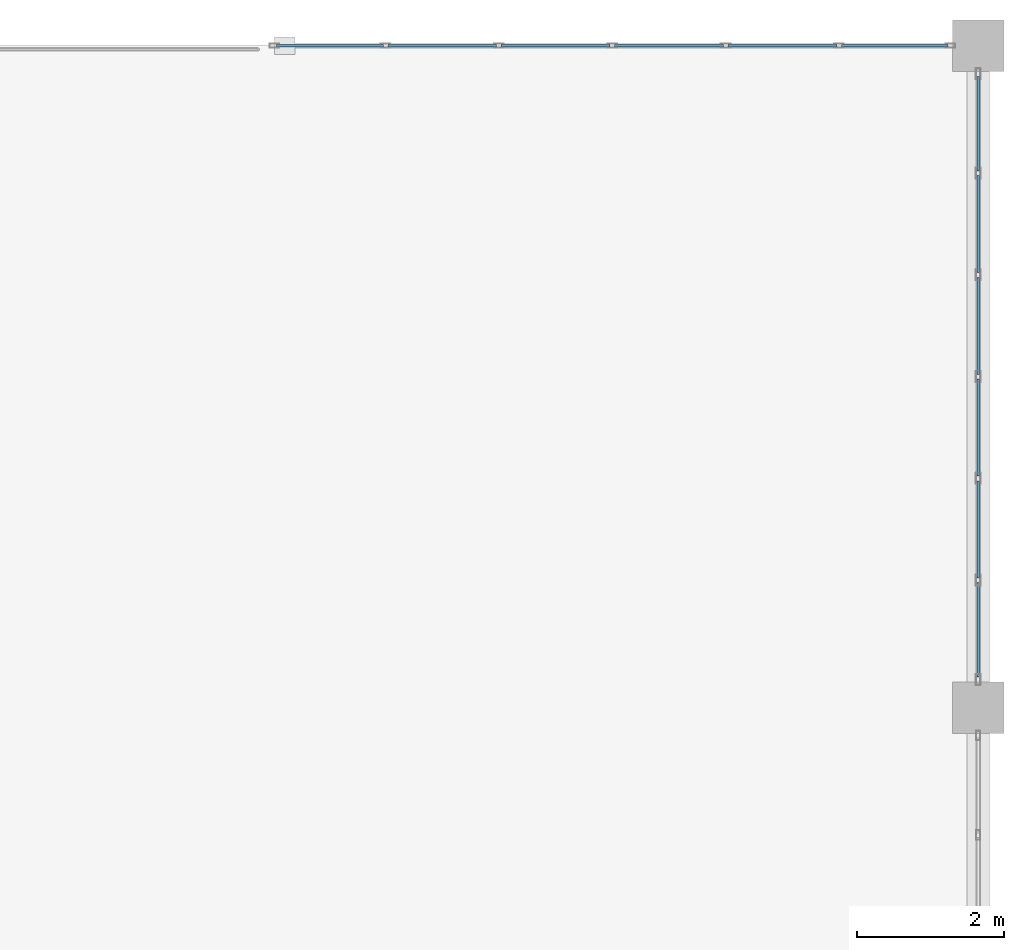
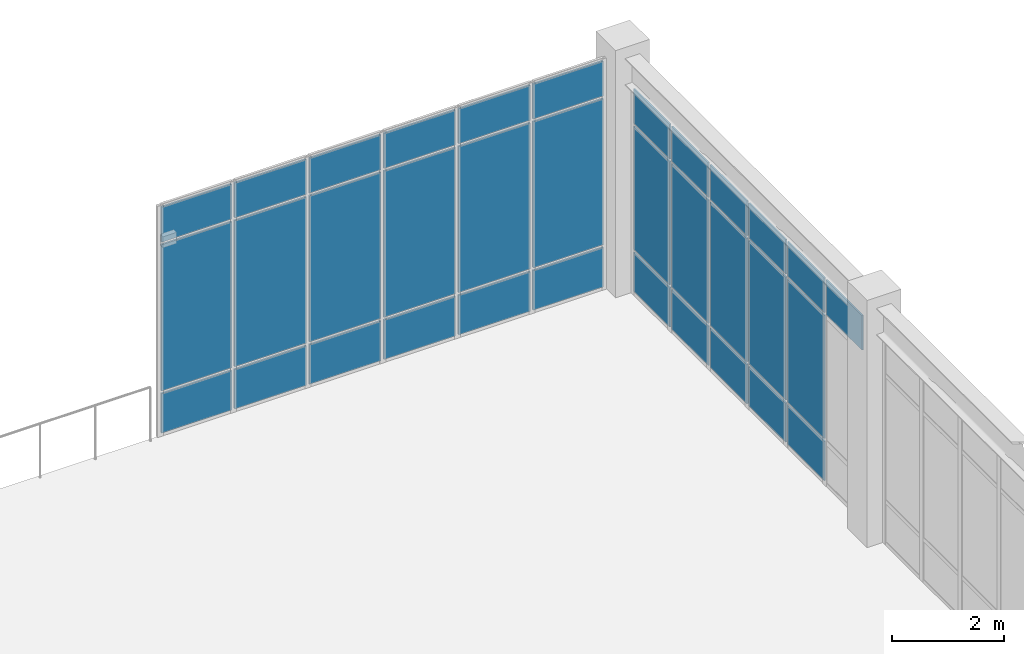
# One storey, part 64 of 80: 34 plates, 2 elements without a shape of their own.
"""IFC4 building model written with IfcOpenShell, lengths in metres."""

from ifc_helpers import new_model, si_unit, direction, frame, origin, origin_2d, place, context, subcontext, project, spatial, rectangle, extrude, material, layer, layer_set, type_object, element, aggregate, save


model = new_model("IFC4")

# Units and contexts
model_context = context("Model", 3, precision=1e-05, world=origin(), true_north=direction((0.0, 1.0)))
body_context = subcontext(model_context, "Body", "Model", "MODEL_VIEW")
ifc_project = project(units=[si_unit("LENGTHUNIT", "METRE"), si_unit("AREAUNIT", "SQUARE_METRE"), si_unit("VOLUMEUNIT", "CUBIC_METRE"), si_unit("PLANEANGLEUNIT", "RADIAN"), si_unit("MASSUNIT", "GRAM", prefix="KILO")], contexts=[model_context])

# Site, building, storey
site_placement = place(None, origin())
site = spatial("IfcSite", under=ifc_project, at=site_placement, CompositionType="ELEMENT")
building_placement = place(site_placement, origin())
building = spatial("IfcBuilding", under=site, at=building_placement, Name="Canglan Escarpment Cableway Terminal", CompositionType="ELEMENT")
storey_placement = place(building_placement, frame((0.0, 0.0, 19.199951171875)))
storey = spatial("IfcBuildingStorey", under=building, at=storey_placement, Name="L04", CompositionType="ELEMENT", Elevation=19.199951171875)

# Curtain wall, plates
ifc_material_1 = material(Name="Anodized bronze aluminium and Low-E double glazing", Category="aluminium")
curtain_wall_type_1 = type_object("IfcCurtainWallType", Name="CW-BAY-8300x4550", PredefinedType="NOTDEFINED", material=ifc_material_1)
curtain_wall_1_placement = place(storey_placement, origin())
curtain_wall_1 = element("IfcCurtainWall", 1, at=curtain_wall_1_placement, inside=storey, type_object=curtain_wall_type_1, Name="Classical bay-between-piers glazed curtain wall CW-64", PredefinedType="NOTDEFINED")
ifc_material_2 = material(Name="Double-silver Low-E laminated insulating glass", Category="glass")
ifc_layer_1 = layer(ifc_material_2, 0.031982421875, Name="Double-silver Low-E laminated insulating glass")
ifc_layer_set_1 = layer_set([ifc_layer_1], Name="Double-silver Low-E laminated insulating glass")
plate_type_1 = type_object("IfcPlateType", Name="CWP-03", PredefinedType="CURTAIN_PANEL", material=ifc_layer_set_1)
plate_1_placement = place(storey_placement, frame((166.39990234375, 116.057861328125, 3.73095703125), z_axis=(0.0, 0.0, 1.0), x_axis=(0.0, 1.0, 0.0)))
plate_1 = element("IfcPlate", 2, at=plate_1_placement, type_object=plate_type_1, Name="CW-64 panel 1.3", PredefinedType="CURTAIN_PANEL", context=body_context, shape_type="SweptSolid", body=[
    extrude(rectangle(XDim=1.285888671875, YDim=0.031982421875, at=origin_2d()), origin(), (0.0, 0.0, 1.0), 0.760009765625),
])
plate_2_placement = place(storey_placement, frame((166.39990234375, 117.425048828125, 0.06005859375), z_axis=(0.0, 0.0, 1.0), x_axis=(0.0, 1.0, 0.0)))
plate_2 = element("IfcPlate", 3, at=plate_2_placement, type_object=plate_type_1, Name="CW-64 panel 2.1", PredefinedType="CURTAIN_PANEL", context=body_context, shape_type="SweptSolid", body=[
    extrude(rectangle(XDim=1.318359375, YDim=0.031982421875, at=origin_2d()), origin(), (0.0, 0.0, 1.0), 0.860107421875),
])
plate_3_placement = place(storey_placement, frame((166.39990234375, 117.425048828125, 0.97998046875), z_axis=(0.0, 0.0, 1.0), x_axis=(0.0, 1.0, 0.0)))
plate_3 = element("IfcPlate", 4, at=plate_3_placement, type_object=plate_type_1, Name="CW-64 panel 2.2", PredefinedType="CURTAIN_PANEL", context=body_context, shape_type="SweptSolid", body=[
    extrude(rectangle(XDim=1.318359375, YDim=0.031982421875, at=origin_2d()), origin(), (0.0, 0.0, 1.0), 2.69091796875),
])
plate_4_placement = place(storey_placement, frame((166.39990234375, 117.425048828125, 3.73095703125), z_axis=(0.0, 0.0, 1.0), x_axis=(0.0, 1.0, 0.0)))
plate_4 = element("IfcPlate", 5, at=plate_4_placement, type_object=plate_type_1, Name="CW-64 panel 2.3", PredefinedType="CURTAIN_PANEL", context=body_context, shape_type="SweptSolid", body=[
    extrude(rectangle(XDim=1.318359375, YDim=0.031982421875, at=origin_2d()), origin(), (0.0, 0.0, 1.0), 0.760009765625),
])
plate_5_placement = place(storey_placement, frame((166.39990234375, 118.808349609375, 0.06005859375), z_axis=(0.0, 0.0, 1.0), x_axis=(0.0, 1.0, 0.0)))
plate_5 = element("IfcPlate", 6, at=plate_5_placement, type_object=plate_type_1, Name="CW-64 panel 3.1", PredefinedType="CURTAIN_PANEL", context=body_context, shape_type="SweptSolid", body=[
    extrude(rectangle(XDim=1.318359375, YDim=0.031982421875, at=origin_2d()), origin(), (0.0, 0.0, 1.0), 0.860107421875),
])
plate_6_placement = place(storey_placement, frame((166.39990234375, 118.808349609375, 0.97998046875), z_axis=(0.0, 0.0, 1.0), x_axis=(0.0, 1.0, 0.0)))
plate_6 = element("IfcPlate", 7, at=plate_6_placement, type_object=plate_type_1, Name="CW-64 panel 3.2", PredefinedType="CURTAIN_PANEL", context=body_context, shape_type="SweptSolid", body=[
    extrude(rectangle(XDim=1.318359375, YDim=0.031982421875, at=origin_2d()), origin(), (0.0, 0.0, 1.0), 2.69091796875),
])
plate_7_placement = place(storey_placement, frame((166.39990234375, 118.808349609375, 3.73095703125), z_axis=(0.0, 0.0, 1.0), x_axis=(0.0, 1.0, 0.0)))
plate_7 = element("IfcPlate", 8, at=plate_7_placement, type_object=plate_type_1, Name="CW-64 panel 3.3", PredefinedType="CURTAIN_PANEL", context=body_context, shape_type="SweptSolid", body=[
    extrude(rectangle(XDim=1.318359375, YDim=0.031982421875, at=origin_2d()), origin(), (0.0, 0.0, 1.0), 0.760009765625),
])
plate_8_placement = place(storey_placement, frame((166.39990234375, 120.191650390625, 0.06005859375), z_axis=(0.0, 0.0, 1.0), x_axis=(0.0, 1.0, 0.0)))
plate_8 = element("IfcPlate", 9, at=plate_8_placement, type_object=plate_type_1, Name="CW-64 panel 4.1", PredefinedType="CURTAIN_PANEL", context=body_context, shape_type="SweptSolid", body=[
    extrude(rectangle(XDim=1.318359375, YDim=0.031982421875, at=origin_2d()), origin(), (0.0, 0.0, 1.0), 0.860107421875),
])
plate_9_placement = place(storey_placement, frame((166.39990234375, 120.191650390625, 0.97998046875), z_axis=(0.0, 0.0, 1.0), x_axis=(0.0, 1.0, 0.0)))
plate_9 = element("IfcPlate", 10, at=plate_9_placement, type_object=plate_type_1, Name="CW-64 panel 4.2", PredefinedType="CURTAIN_PANEL", context=body_context, shape_type="SweptSolid", body=[
    extrude(rectangle(XDim=1.318359375, YDim=0.031982421875, at=origin_2d()), origin(), (0.0, 0.0, 1.0), 2.69091796875),
])
plate_10_placement = place(storey_placement, frame((166.39990234375, 120.191650390625, 3.73095703125), z_axis=(0.0, 0.0, 1.0), x_axis=(0.0, 1.0, 0.0)))
plate_10 = element("IfcPlate", 11, at=plate_10_placement, type_object=plate_type_1, Name="CW-64 panel 4.3", PredefinedType="CURTAIN_PANEL", context=body_context, shape_type="SweptSolid", body=[
    extrude(rectangle(XDim=1.318359375, YDim=0.031982421875, at=origin_2d()), origin(), (0.0, 0.0, 1.0), 0.760009765625),
])
plate_11_placement = place(storey_placement, frame((166.39990234375, 121.574951171875, 0.06005859375), z_axis=(0.0, 0.0, 1.0), x_axis=(0.0, 1.0, 0.0)))
plate_11 = element("IfcPlate", 12, at=plate_11_placement, type_object=plate_type_1, Name="CW-64 panel 5.1", PredefinedType="CURTAIN_PANEL", context=body_context, shape_type="SweptSolid", body=[
    extrude(rectangle(XDim=1.318359375, YDim=0.031982421875, at=origin_2d()), origin(), (0.0, 0.0, 1.0), 0.860107421875),
])
plate_12_placement = place(storey_placement, frame((166.39990234375, 121.574951171875, 0.97998046875), z_axis=(0.0, 0.0, 1.0), x_axis=(0.0, 1.0, 0.0)))
plate_12 = element("IfcPlate", 13, at=plate_12_placement, type_object=plate_type_1, Name="CW-64 panel 5.2", PredefinedType="CURTAIN_PANEL", context=body_context, shape_type="SweptSolid", body=[
    extrude(rectangle(XDim=1.318359375, YDim=0.031982421875, at=origin_2d()), origin(), (0.0, 0.0, 1.0), 2.69091796875),
])
plate_13_placement = place(storey_placement, frame((166.39990234375, 121.574951171875, 3.73095703125), z_axis=(0.0, 0.0, 1.0), x_axis=(0.0, 1.0, 0.0)))
plate_13 = element("IfcPlate", 14, at=plate_13_placement, type_object=plate_type_1, Name="CW-64 panel 5.3", PredefinedType="CURTAIN_PANEL", context=body_context, shape_type="SweptSolid", body=[
    extrude(rectangle(XDim=1.318359375, YDim=0.031982421875, at=origin_2d()), origin(), (0.0, 0.0, 1.0), 0.760009765625),
])
plate_14_placement = place(storey_placement, frame((166.39990234375, 122.942138671875, 0.06005859375), z_axis=(0.0, 0.0, 1.0), x_axis=(0.0, 1.0, 0.0)))
plate_14 = element("IfcPlate", 15, at=plate_14_placement, type_object=plate_type_1, Name="CW-64 panel 6.1", PredefinedType="CURTAIN_PANEL", context=body_context, shape_type="SweptSolid", body=[
    extrude(rectangle(XDim=1.285888671875, YDim=0.031982421875, at=origin_2d()), origin(), (0.0, 0.0, 1.0), 0.860107421875),
])
plate_15_placement = place(storey_placement, frame((166.39990234375, 122.942138671875, 0.97998046875), z_axis=(0.0, 0.0, 1.0), x_axis=(0.0, 1.0, 0.0)))
plate_15 = element("IfcPlate", 16, at=plate_15_placement, type_object=plate_type_1, Name="CW-64 panel 6.2", PredefinedType="CURTAIN_PANEL", context=body_context, shape_type="SweptSolid", body=[
    extrude(rectangle(XDim=1.285888671875, YDim=0.031982421875, at=origin_2d()), origin(), (0.0, 0.0, 1.0), 2.69091796875),
])
plate_16_placement = place(storey_placement, frame((166.39990234375, 122.942138671875, 3.73095703125), z_axis=(0.0, 0.0, 1.0), x_axis=(0.0, 1.0, 0.0)))
plate_16 = element("IfcPlate", 17, at=plate_16_placement, type_object=plate_type_1, Name="CW-64 panel 6.3", PredefinedType="CURTAIN_PANEL", context=body_context, shape_type="SweptSolid", body=[
    extrude(rectangle(XDim=1.285888671875, YDim=0.031982421875, at=origin_2d()), origin(), (0.0, 0.0, 1.0), 0.760009765625),
])
aggregate(curtain_wall_1, [plate_1, plate_2, plate_3, plate_4, plate_5, plate_6, plate_7, plate_8, plate_9, plate_10, plate_11, plate_12, plate_13, plate_14, plate_15, plate_16])

curtain_wall_type_2 = type_object("IfcCurtainWallType", Name="CW-BAY-9250x5050", PredefinedType="NOTDEFINED", material=ifc_material_1)
curtain_wall_2_placement = place(storey_placement, origin())
curtain_wall_2 = element("IfcCurtainWall", 18, at=curtain_wall_2_placement, inside=storey, type_object=curtain_wall_type_2, Name="Classical bay-between-piers glazed curtain wall CW-40", PredefinedType="NOTDEFINED")
ifc_layer_2 = layer(ifc_material_2, 0.035888671875, Name="Double-silver Low-E laminated insulating glass")
ifc_layer_set_2 = layer_set([ifc_layer_2], Name="Double-silver Low-E laminated insulating glass")
plate_type_2 = type_object("IfcPlateType", Name="CWP-04", PredefinedType="CURTAIN_PANEL", material=ifc_layer_set_2)
plate_17_placement = place(storey_placement, frame((165.26416015625, 124.0, 0.05517578125), z_axis=(0.0, 0.0, 1.0), x_axis=(-1.0, 0.0, 0.0)))
plate_17 = element("IfcPlate", 19, at=plate_17_placement, type_object=plate_type_2, Name="CW-40 panel 1.1", PredefinedType="CURTAIN_PANEL", context=body_context, shape_type="SweptSolid", body=[
    extrude(rectangle(XDim=1.45166015625, YDim=0.035888671875, at=origin_2d()), origin(), (0.0, 0.0, 1.0), 0.867431640625),
])
plate_18_placement = place(storey_placement, frame((165.26416015625, 124.0, 0.9775390625), z_axis=(0.0, 0.0, 1.0), x_axis=(-1.0, 0.0, 0.0)))
plate_18 = element("IfcPlate", 20, at=plate_18_placement, type_object=plate_type_2, Name="CW-40 panel 1.2", PredefinedType="CURTAIN_PANEL", context=body_context, shape_type="SweptSolid", body=[
    extrude(rectangle(XDim=1.45166015625, YDim=0.035888671875, at=origin_2d()), origin(), (0.0, 0.0, 1.0), 3.195068359375),
])
plate_19_placement = place(storey_placement, frame((165.26416015625, 124.0, 4.2275390625), z_axis=(0.0, 0.0, 1.0), x_axis=(-1.0, 0.0, 0.0)))
plate_19 = element("IfcPlate", 21, at=plate_19_placement, type_object=plate_type_2, Name="CW-40 panel 1.3", PredefinedType="CURTAIN_PANEL", context=body_context, shape_type="SweptSolid", body=[
    extrude(rectangle(XDim=1.45166015625, YDim=0.035888671875, at=origin_2d()), origin(), (0.0, 0.0, 1.0), 0.767578125),
])
plate_20_placement = place(storey_placement, frame((163.737548828125, 124.0, 0.05517578125), z_axis=(0.0, 0.0, 1.0), x_axis=(-1.0, 0.0, 0.0)))
plate_20 = element("IfcPlate", 22, at=plate_20_placement, type_object=plate_type_2, Name="CW-40 panel 2.1", PredefinedType="CURTAIN_PANEL", context=body_context, shape_type="SweptSolid", body=[
    extrude(rectangle(XDim=1.481689453125, YDim=0.035888671875, at=origin_2d()), origin(), (0.0, 0.0, 1.0), 0.867431640625),
])
plate_21_placement = place(storey_placement, frame((163.737548828125, 124.0, 0.9775390625), z_axis=(0.0, 0.0, 1.0), x_axis=(-1.0, 0.0, 0.0)))
plate_21 = element("IfcPlate", 23, at=plate_21_placement, type_object=plate_type_2, Name="CW-40 panel 2.2", PredefinedType="CURTAIN_PANEL", context=body_context, shape_type="SweptSolid", body=[
    extrude(rectangle(XDim=1.481689453125, YDim=0.035888671875, at=origin_2d()), origin(), (0.0, 0.0, 1.0), 3.195068359375),
])
plate_22_placement = place(storey_placement, frame((163.737548828125, 124.0, 4.2275390625), z_axis=(0.0, 0.0, 1.0), x_axis=(-1.0, 0.0, 0.0)))
plate_22 = element("IfcPlate", 24, at=plate_22_placement, type_object=plate_type_2, Name="CW-40 panel 2.3", PredefinedType="CURTAIN_PANEL", context=body_context, shape_type="SweptSolid", body=[
    extrude(rectangle(XDim=1.481689453125, YDim=0.035888671875, at=origin_2d()), origin(), (0.0, 0.0, 1.0), 0.767578125),
])
plate_23_placement = place(storey_placement, frame((162.19580078125, 124.0, 0.05517578125), z_axis=(0.0, 0.0, 1.0), x_axis=(-1.0, 0.0, 0.0)))
plate_23 = element("IfcPlate", 25, at=plate_23_placement, type_object=plate_type_2, Name="CW-40 panel 3.1", PredefinedType="CURTAIN_PANEL", context=body_context, shape_type="SweptSolid", body=[
    extrude(rectangle(XDim=1.481689453125, YDim=0.035888671875, at=origin_2d()), origin(), (0.0, 0.0, 1.0), 0.867431640625),
])
plate_24_placement = place(storey_placement, frame((162.19580078125, 124.0, 0.9775390625), z_axis=(0.0, 0.0, 1.0), x_axis=(-1.0, 0.0, 0.0)))
plate_24 = element("IfcPlate", 26, at=plate_24_placement, type_object=plate_type_2, Name="CW-40 panel 3.2", PredefinedType="CURTAIN_PANEL", context=body_context, shape_type="SweptSolid", body=[
    extrude(rectangle(XDim=1.481689453125, YDim=0.035888671875, at=origin_2d()), origin(), (0.0, 0.0, 1.0), 3.195068359375),
])
plate_25_placement = place(storey_placement, frame((162.19580078125, 124.0, 4.2275390625), z_axis=(0.0, 0.0, 1.0), x_axis=(-1.0, 0.0, 0.0)))
plate_25 = element("IfcPlate", 27, at=plate_25_placement, type_object=plate_type_2, Name="CW-40 panel 3.3", PredefinedType="CURTAIN_PANEL", context=body_context, shape_type="SweptSolid", body=[
    extrude(rectangle(XDim=1.481689453125, YDim=0.035888671875, at=origin_2d()), origin(), (0.0, 0.0, 1.0), 0.767578125),
])
plate_26_placement = place(storey_placement, frame((160.654052734375, 124.0, 0.05517578125), z_axis=(0.0, 0.0, 1.0), x_axis=(-1.0, 0.0, 0.0)))
plate_26 = element("IfcPlate", 28, at=plate_26_placement, type_object=plate_type_2, Name="CW-40 panel 4.1", PredefinedType="CURTAIN_PANEL", context=body_context, shape_type="SweptSolid", body=[
    extrude(rectangle(XDim=1.481689453125, YDim=0.035888671875, at=origin_2d()), origin(), (0.0, 0.0, 1.0), 0.867431640625),
])
plate_27_placement = place(storey_placement, frame((160.654052734375, 124.0, 0.9775390625), z_axis=(0.0, 0.0, 1.0), x_axis=(-1.0, 0.0, 0.0)))
plate_27 = element("IfcPlate", 29, at=plate_27_placement, type_object=plate_type_2, Name="CW-40 panel 4.2", PredefinedType="CURTAIN_PANEL", context=body_context, shape_type="SweptSolid", body=[
    extrude(rectangle(XDim=1.481689453125, YDim=0.035888671875, at=origin_2d()), origin(), (0.0, 0.0, 1.0), 3.195068359375),
])
plate_28_placement = place(storey_placement, frame((160.654052734375, 124.0, 4.2275390625), z_axis=(0.0, 0.0, 1.0), x_axis=(-1.0, 0.0, 0.0)))
plate_28 = element("IfcPlate", 30, at=plate_28_placement, type_object=plate_type_2, Name="CW-40 panel 4.3", PredefinedType="CURTAIN_PANEL", context=body_context, shape_type="SweptSolid", body=[
    extrude(rectangle(XDim=1.481689453125, YDim=0.035888671875, at=origin_2d()), origin(), (0.0, 0.0, 1.0), 0.767578125),
])
plate_29_placement = place(storey_placement, frame((159.112548828125, 124.0, 0.05517578125), z_axis=(0.0, 0.0, 1.0), x_axis=(-1.0, 0.0, 0.0)))
plate_29 = element("IfcPlate", 31, at=plate_29_placement, type_object=plate_type_2, Name="CW-40 panel 5.1", PredefinedType="CURTAIN_PANEL", context=body_context, shape_type="SweptSolid", body=[
    extrude(rectangle(XDim=1.481689453125, YDim=0.035888671875, at=origin_2d()), origin(), (0.0, 0.0, 1.0), 0.867431640625),
])
plate_30_placement = place(storey_placement, frame((159.112548828125, 124.0, 0.9775390625), z_axis=(0.0, 0.0, 1.0), x_axis=(-1.0, 0.0, 0.0)))
plate_30 = element("IfcPlate", 32, at=plate_30_placement, type_object=plate_type_2, Name="CW-40 panel 5.2", PredefinedType="CURTAIN_PANEL", context=body_context, shape_type="SweptSolid", body=[
    extrude(rectangle(XDim=1.481689453125, YDim=0.035888671875, at=origin_2d()), origin(), (0.0, 0.0, 1.0), 3.195068359375),
])
plate_31_placement = place(storey_placement, frame((159.112548828125, 124.0, 4.2275390625), z_axis=(0.0, 0.0, 1.0), x_axis=(-1.0, 0.0, 0.0)))
plate_31 = element("IfcPlate", 33, at=plate_31_placement, type_object=plate_type_2, Name="CW-40 panel 5.3", PredefinedType="CURTAIN_PANEL", context=body_context, shape_type="SweptSolid", body=[
    extrude(rectangle(XDim=1.481689453125, YDim=0.035888671875, at=origin_2d()), origin(), (0.0, 0.0, 1.0), 0.767578125),
])
plate_32_placement = place(storey_placement, frame((157.5859375, 124.0, 0.05517578125), z_axis=(0.0, 0.0, 1.0), x_axis=(-1.0, 0.0, 0.0)))
plate_32 = element("IfcPlate", 34, at=plate_32_placement, type_object=plate_type_2, Name="CW-40 panel 6.1", PredefinedType="CURTAIN_PANEL", context=body_context, shape_type="SweptSolid", body=[
    extrude(rectangle(XDim=1.45166015625, YDim=0.035888671875, at=origin_2d()), origin(), (0.0, 0.0, 1.0), 0.867431640625),
])
plate_33_placement = place(storey_placement, frame((157.5859375, 124.0, 0.9775390625), z_axis=(0.0, 0.0, 1.0), x_axis=(-1.0, 0.0, 0.0)))
plate_33 = element("IfcPlate", 35, at=plate_33_placement, type_object=plate_type_2, Name="CW-40 panel 6.2", PredefinedType="CURTAIN_PANEL", context=body_context, shape_type="SweptSolid", body=[
    extrude(rectangle(XDim=1.45166015625, YDim=0.035888671875, at=origin_2d()), origin(), (0.0, 0.0, 1.0), 3.195068359375),
])
plate_34_placement = place(storey_placement, frame((157.5859375, 124.0, 4.2275390625), z_axis=(0.0, 0.0, 1.0), x_axis=(-1.0, 0.0, 0.0)))
plate_34 = element("IfcPlate", 36, at=plate_34_placement, type_object=plate_type_2, Name="CW-40 panel 6.3", PredefinedType="CURTAIN_PANEL", context=body_context, shape_type="SweptSolid", body=[
    extrude(rectangle(XDim=1.45166015625, YDim=0.035888671875, at=origin_2d()), origin(), (0.0, 0.0, 1.0), 0.767578125),
])
aggregate(curtain_wall_2, [plate_17, plate_18, plate_19, plate_20, plate_21, plate_22, plate_23, plate_24, plate_25, plate_26, plate_27, plate_28, plate_29, plate_30, plate_31, plate_32, plate_33, plate_34])

save(model, "model.ifc")
